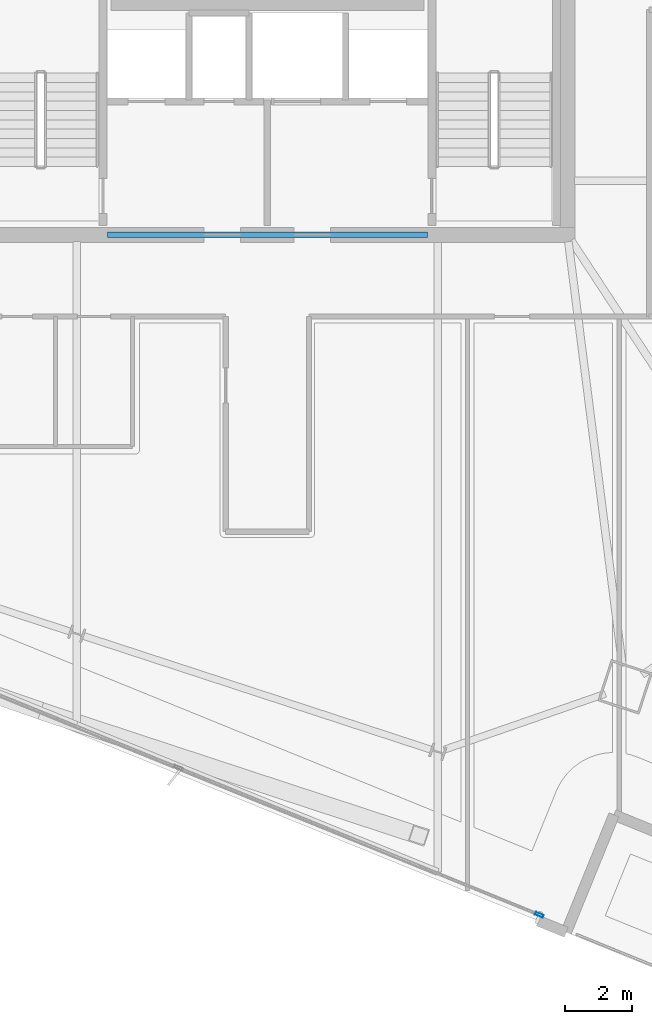
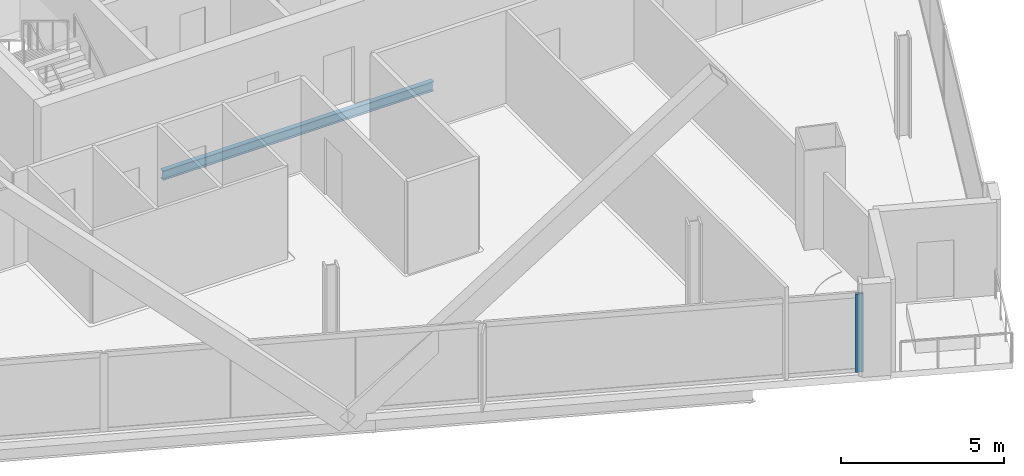
# One storey, part 8 of 31: 1 beam, 1 member, 1 element without a shape of its own.
"""IFC4 building model written with IfcOpenShell, lengths in metres."""

from ifc_helpers import new_model, si_unit, direction, frame, origin, origin_2d, place, context, subcontext, project, spatial, hollow_rectangle, i_section, extrude, material, material_profile, profile_set, type_object, element, aggregate, save


model = new_model("IFC4")

# Units and contexts
model_context = context("Model", 3, precision=1e-05, world=origin(), true_north=direction((0.0, 1.0)))
body_context = subcontext(model_context, "Body", "Model", "MODEL_VIEW")
ifc_project = project(units=[si_unit("LENGTHUNIT", "METRE"), si_unit("AREAUNIT", "SQUARE_METRE"), si_unit("VOLUMEUNIT", "CUBIC_METRE"), si_unit("PLANEANGLEUNIT", "RADIAN"), si_unit("MASSUNIT", "GRAM", prefix="KILO")], contexts=[model_context])

# Site, building, storey
site_placement = place(None, origin())
site = spatial("IfcSite", under=ifc_project, at=site_placement, CompositionType="ELEMENT")
building_placement = place(site_placement, origin())
building = spatial("IfcBuilding", under=site, at=building_placement, Name="Haldenkirk Collegiate Tower", CompositionType="ELEMENT")
storey_placement = place(building_placement, frame((0.0, 0.0, 256.199951171875)))
storey = spatial("IfcBuildingStorey", under=building, at=storey_placement, Name="L64", CompositionType="ELEMENT", Elevation=256.199951171875)

# Beam
ifc_material_1 = material(Name="Steel ASTM A992 Grade 50", Category="steel")
ifc_material_profile_1 = material_profile(ifc_material_1, i_section(OverallWidth=0.1708984375, OverallDepth=0.35595703125, WebThickness=0.007080078125, FlangeThickness=0.01171875, at=origin_2d()), Name="W14X34")
ifc_profile_set_1 = profile_set([ifc_material_profile_1], Name="Steel ASTM A992 Grade 50")
beam_type = type_object("IfcBeamType", Name="BM-LINTEL-W14X34", PredefinedType="LINTEL", material=ifc_profile_set_1)
beam_placement = place(storey_placement, frame((31.199951171875, 18.0, -0.447998046875), z_axis=(1.0, 0.0, 0.0), x_axis=(0.0, 1.0, 0.0)))
element("IfcBeam", 1, at=beam_placement, inside=storey, type_object=beam_type, Name="L64 south core coupling lintel", PredefinedType="LINTEL", context=body_context, shape_type="SweptSolid", body=[
    extrude(i_section(OverallWidth=0.1708984375, OverallDepth=0.35595703125, WebThickness=0.007080078125, FlangeThickness=0.01171875, at=origin_2d()), origin(), (0.0, 0.0, 1.0), 9.60009765625),
])

# Curtain wall, member
ifc_material_2 = material(Name="Anodised architectural bronze aluminium", Category="aluminium")
curtain_wall_type = type_object("IfcCurtainWallType", Name="CW-SYS1B-CONVEX-HI", PredefinedType="USERDEFINED", material=ifc_material_2)
curtain_wall_placement = place(storey_placement, origin())
curtain_wall = element("IfcCurtainWall", 2, at=curtain_wall_placement, inside=storey, type_object=curtain_wall_type, Name="L64 Upper tower high-wind convex bronze unitised curtain wall", ObjectType="UNITISED CURTAIN WALL", PredefinedType="USERDEFINED")
ifc_material_profile_2 = material_profile(ifc_material_2, hollow_rectangle(XDim=0.0849609375, YDim=0.25, WallThickness=0.0048828125, at=origin_2d()), Name="CW-MUL-1B")
ifc_profile_set_2 = profile_set([ifc_material_profile_2], Name="Anodised architectural bronze aluminium")
member_type = type_object("IfcMemberType", Name="CW-MUL-1B", PredefinedType="MULLION", material=ifc_profile_set_2)
member_placement = place(storey_placement, frame((44.155517578125, -2.39013671875, 0.0), z_axis=(0.0, 0.0, 1.0), x_axis=(-0.377034271745, -0.926199307886, 0.0)))
member = element("IfcMember", 3, at=member_placement, type_object=member_type, Name="CW-1B mullion 1", PredefinedType="MULLION", context=body_context, shape_type="SweptSolid", body=[
    extrude(hollow_rectangle(XDim=0.0849609375, YDim=0.25, WallThickness=0.0048828125, at=origin_2d()), origin(), (0.0, 0.0, 1.0), 2.93798828125),
])
aggregate(curtain_wall, [member])

save(model, "model.ifc")
